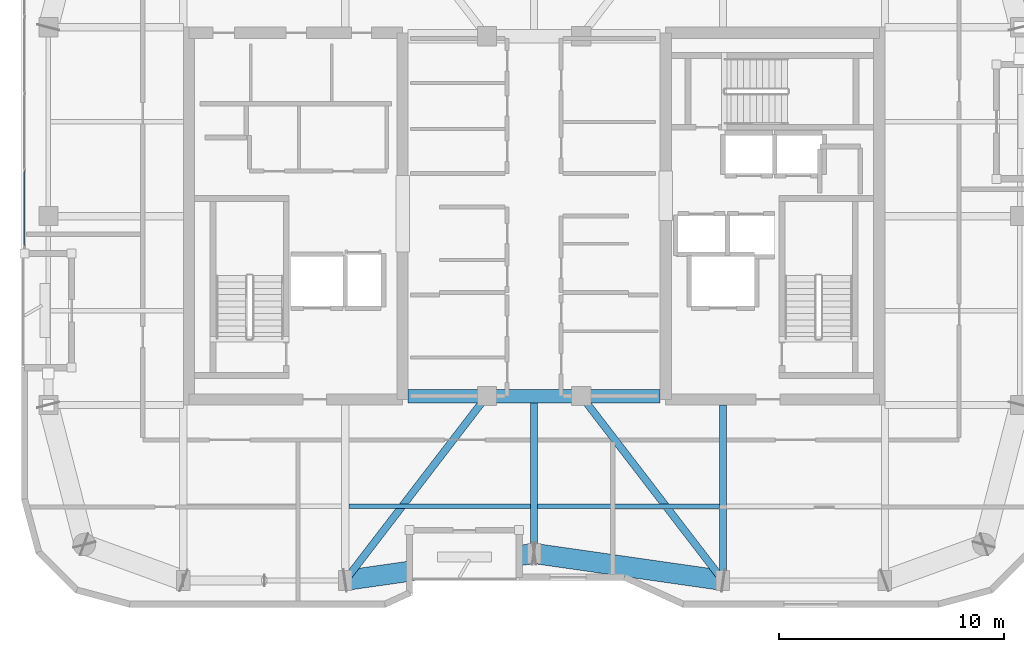
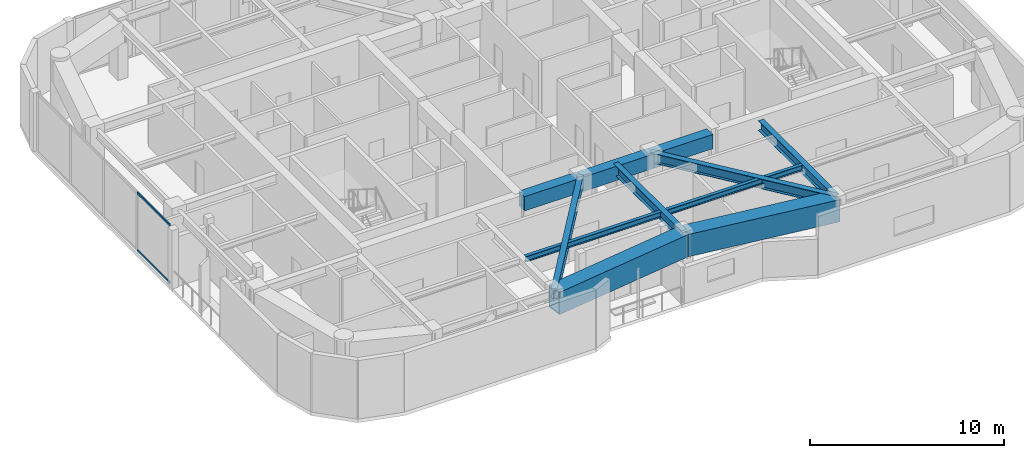
# One storey, part 3 of 16: 11 beams, 2 members, 1 element without a shape of its own.
"""IFC4 building model written with IfcOpenShell, lengths in metres."""

from ifc_helpers import new_model, si_unit, direction, frame, origin, origin_2d, place, context, subcontext, project, spatial, rectangle, hollow_rectangle, i_section, extrude, material, layer, layer_set, material_profile, profile_set, type_object, element, aggregate, save


model = new_model("IFC4")

# Units and contexts
model_context = context("Model", 3, precision=1e-05, world=origin(), true_north=direction((0.0, 1.0)))
body_context = subcontext(model_context, "Body", "Model", "MODEL_VIEW")
ifc_project = project(units=[si_unit("LENGTHUNIT", "METRE"), si_unit("AREAUNIT", "SQUARE_METRE"), si_unit("VOLUMEUNIT", "CUBIC_METRE"), si_unit("PLANEANGLEUNIT", "RADIAN"), si_unit("MASSUNIT", "GRAM", prefix="KILO")], contexts=[model_context])

# Site, building, storey
site_placement = place(None, origin())
site = spatial("IfcSite", under=ifc_project, at=site_placement, CompositionType="ELEMENT")
building_placement = place(site_placement, origin())
building = spatial("IfcBuilding", under=site, at=building_placement, Name="Kiyonajd Concourse Tower", CompositionType="ELEMENT")
storey_placement = place(building_placement, frame((0.0, 0.0, 329.699951171875)))
storey = spatial("IfcBuildingStorey", under=building, at=storey_placement, Name="L83", CompositionType="ELEMENT", Elevation=329.699951171875)

# Beams
ifc_material_1 = material(Name="Concrete C60/75", Category="concrete")
ifc_material_profile_1 = material_profile(ifc_material_1, rectangle(XDim=0.60009765625, YDim=0.89990234375, at=origin_2d()), Name="RCBM-600x900")
ifc_profile_set_1 = profile_set([ifc_material_profile_1], Name="Concrete C60/75")
beam_type_1 = type_object("IfcBeamType", Name="BM-COUP-900", PredefinedType="LINTEL", material=ifc_profile_set_1)
beam_1_placement = place(storey_placement, frame((42.39990234375, 28.0, 3.22998046875), z_axis=(1.0, 0.0, 0.0), x_axis=(0.0, 1.0, 0.0)))
element("IfcBeam", 1, at=beam_1_placement, inside=storey, type_object=beam_type_1, Name="L83 Core Coupling Beam S1", PredefinedType="LINTEL", context=body_context, shape_type="SweptSolid", body=[
    extrude(rectangle(XDim=0.60009765625, YDim=0.89990234375, at=origin_2d()), origin(), (0.0, 0.0, 1.0), 3.5),
])
beam_2_placement = place(storey_placement, frame((45.89990234375, 28.0, 3.22998046875), z_axis=(1.0, 0.0, 0.0), x_axis=(0.0, 1.0, 0.0)))
element("IfcBeam", 2, at=beam_2_placement, inside=storey, type_object=beam_type_1, Name="L83 Core Coupling Beam S2", PredefinedType="LINTEL", context=body_context, shape_type="SweptSolid", body=[
    extrude(rectangle(XDim=0.60009765625, YDim=0.89990234375, at=origin_2d()), origin(), (0.0, 0.0, 1.0), 4.2001953125),
])
beam_3_placement = place(storey_placement, frame((50.10009765625, 28.0, 3.22998046875), z_axis=(1.0, 0.0, 0.0), x_axis=(0.0, 1.0, 0.0)))
element("IfcBeam", 3, at=beam_3_placement, inside=storey, type_object=beam_type_1, Name="L83 Core Coupling Beam S3", PredefinedType="LINTEL", context=body_context, shape_type="SweptSolid", body=[
    extrude(rectangle(XDim=0.60009765625, YDim=0.89990234375, at=origin_2d()), origin(), (0.0, 0.0, 1.0), 3.5),
])
ifc_material_2 = material(Name="Steel ASTM A992 Grade 50", Category="steel")
ifc_material_profile_2 = material_profile(ifc_material_2, i_section(OverallWidth=0.205078125, OverallDepth=0.35400390625, WebThickness=0.009521484375, FlangeThickness=0.016845703125, at=origin_2d()), Name="W360X79")
ifc_profile_set_2 = profile_set([ifc_material_profile_2], Name="Steel ASTM A992 Grade 50")
beam_type_2 = type_object("IfcBeamType", Name="BM-JST-360", PredefinedType="JOIST", material=ifc_profile_set_2)
for number, where, z_axis, x_axis, name in (
    (4, (39.761962890625, 23.10009765625, 3.5029296875), (1.0, 0.0, 0.0), (0.0, 1.0, 0.0), "L83 Secondary Floor Joist"),
    (5, (48.162109375, 23.10009765625, 3.5029296875), (1.0, 0.0, 0.0), (0.0, 1.0, 0.0), "L83 Secondary Floor Joist"),
):
    element("IfcBeam", number, at=place(storey_placement, frame(where, z_axis=z_axis, x_axis=x_axis)), inside=storey, type_object=beam_type_2, Name=name, PredefinedType="JOIST", context=body_context, shape_type="SweptSolid", body=[
        extrude(i_section(OverallWidth=0.205078125, OverallDepth=0.35400390625, WebThickness=0.009521484375, FlangeThickness=0.016845703125, at=origin_2d()), origin(), (0.0, 0.0, 1.0), 8.075927734375),
    ])
ifc_material_profile_3 = material_profile(ifc_material_2, i_section(OverallWidth=0.326904296875, OverallDepth=0.6220703125, WebThickness=0.015380859375, FlangeThickness=0.0244140625, at=origin_2d()), Name="W610X195")
ifc_profile_set_3 = profile_set([ifc_material_profile_3], Name="Steel ASTM A992 Grade 50")
beam_type_3 = type_object("IfcBeamType", Name="BM-TWR-610A", PredefinedType="BEAM", material=ifc_profile_set_3)
for number, where, z_axis, x_axis, name in (
    (6, (39.60009765625, 19.800048828125, 3.369140625), (0.609233709922, 0.792990722956, 0.0), (-0.792990722956, 0.609233709922, 0.0), "L83 Core Tie Girder"),
    (7, (50.10009765625, 28.0, 3.369140625), (0.609233709922, -0.792990722956, 0.0), (0.792990722956, 0.609233709922, 0.0), "L83 Core Tie Girder"),
):
    element("IfcBeam", number, at=place(storey_placement, frame(where, z_axis=z_axis, x_axis=x_axis)), inside=storey, type_object=beam_type_3, Name=name, PredefinedType="BEAM", context=body_context, shape_type="SweptSolid", body=[
        extrude(i_section(OverallWidth=0.326904296875, OverallDepth=0.6220703125, WebThickness=0.015380859375, FlangeThickness=0.0244140625, at=origin_2d()), origin(), (0.0, 0.0, 1.0), 10.340576171875),
    ])
ifc_material_profile_4 = material_profile(ifc_material_2, i_section(OverallWidth=0.323974609375, OverallDepth=0.611083984375, WebThickness=0.0126953125, FlangeThickness=0.01904296875, at=origin_2d()), Name="W610X155")
ifc_profile_set_4 = profile_set([ifc_material_profile_4], Name="Steel ASTM A992 Grade 50")
beam_type_4 = type_object("IfcBeamType", Name="BM-TWR-610B", PredefinedType="BEAM", material=ifc_profile_set_4)
beam_4_placement = place(storey_placement, frame((56.39990234375, 19.800048828125, 3.37451171875), z_axis=(0.0, 1.0, 0.0), x_axis=(-1.0, 0.0, 0.0)))
element("IfcBeam", 8, at=beam_4_placement, inside=storey, type_object=beam_type_4, Name="L83 South Lease Girder", PredefinedType="BEAM", context=body_context, shape_type="SweptSolid", body=[
    extrude(i_section(OverallWidth=0.323974609375, OverallDepth=0.611083984375, WebThickness=0.0126953125, FlangeThickness=0.01904296875, at=origin_2d()), origin(), (0.0, 0.0, 1.0), 7.800048828125),
])
beam_5_placement = place(storey_placement, frame((48.0, 21.0, 3.37451171875), z_axis=(0.0, 1.0, 0.0), x_axis=(-1.0, 0.0, 0.0)))
element("IfcBeam", 9, at=beam_5_placement, inside=storey, type_object=beam_type_4, Name="L83 South Ribbon Girder", PredefinedType="BEAM", context=body_context, shape_type="SweptSolid", body=[
    extrude(i_section(OverallWidth=0.323974609375, OverallDepth=0.611083984375, WebThickness=0.0126953125, FlangeThickness=0.01904296875, at=origin_2d()), origin(), (0.0, 0.0, 1.0), 7.0),
])
ifc_material_3 = material(Name="Steel ASTM A572 Grade 50", Category="steel")
ifc_material_profile_5 = material_profile(ifc_material_3, hollow_rectangle(XDim=0.89990234375, YDim=1.39990234375, WallThickness=0.070068359375, at=origin_2d()), Name="BOX-1400x900x70")
ifc_profile_set_5 = profile_set([ifc_material_profile_5], Name="Steel ASTM A572 Grade 50")
beam_type_5 = type_object("IfcBeamType", Name="BM-XFER-1400", PredefinedType="BEAM", material=ifc_profile_set_5)
for number, where, z_axis, x_axis, name in (
    (10, (39.60009765625, 19.800048828125, 2.97998046875), (0.989950069105, 0.141417328072, 0.0), (-0.141417328072, 0.989950069105, 0.0), "L83 Perimeter Bundled Tube Spandrel"),
    (11, (48.0, 21.0, 2.97998046875), (0.989950069105, -0.141417328072, 0.0), (0.141417328072, 0.989950069105, 0.0), "L83 Perimeter Bundled Tube Spandrel"),
):
    element("IfcBeam", number, at=place(storey_placement, frame(where, z_axis=z_axis, x_axis=x_axis)), inside=storey, type_object=beam_type_5, Name=name, PredefinedType="BEAM", context=body_context, shape_type="SweptSolid", body=[
        extrude(hollow_rectangle(XDim=0.89990234375, YDim=1.39990234375, WallThickness=0.070068359375, at=origin_2d()), origin(), (0.0, 0.0, 1.0), 8.485107421875),
    ])

# Curtain wall, members
ifc_material_4 = material(Name="Thermally Broken Anodised Aluminium", Category="aluminium")
ifc_layer = layer(ifc_material_4, 0.179931640625)
ifc_layer_set = layer_set([ifc_layer], Name="Thermally Broken Anodised Aluminium")
curtain_wall_type = type_object("IfcCurtainWallType", Name="CW-SYS-04", PredefinedType="NOTDEFINED", material=ifc_layer_set)
curtain_wall_placement = place(storey_placement, origin())
curtain_wall = element("IfcCurtainWall", 12, at=curtain_wall_placement, inside=storey, type_object=curtain_wall_type, Name="L83 Unitised Curtain Wall CW4", PredefinedType="NOTDEFINED")
ifc_material_profile_6 = material_profile(ifc_material_4, hollow_rectangle(XDim=0.06494140625, YDim=0.139892578125, WallThickness=0.00390625, at=origin_2d()), Name="TRAN-65x140")
ifc_profile_set_6 = profile_set([ifc_material_profile_6], Name="Thermally Broken Anodised Aluminium")
member_type = type_object("IfcMemberType", Name="MB-CW-TRAN1", PredefinedType="USERDEFINED", material=ifc_profile_set_6)
member_1_placement = place(storey_placement, frame((25.340087890625, 34.695068359375, 0.032470703125), z_axis=(0.0, 1.0, 0.0), x_axis=(-1.0, 0.0, 0.0)))
member_1 = element("IfcMember", 13, at=member_1_placement, type_object=member_type, Name="CW4 transom 1.1", ObjectType="TRANSOM", PredefinedType="USERDEFINED", context=body_context, shape_type="SweptSolid", body=[
    extrude(hollow_rectangle(XDim=0.06494140625, YDim=0.139892578125, WallThickness=0.00390625, at=origin_2d()), origin(), (0.0, 0.0, 1.0), 3.31787109375),
])
member_2_placement = place(storey_placement, frame((25.340087890625, 34.695068359375, 3.6474609375), z_axis=(0.0, 1.0, 0.0), x_axis=(-1.0, 0.0, 0.0)))
member_2 = element("IfcMember", 14, at=member_2_placement, type_object=member_type, Name="CW4 transom 1.2", ObjectType="TRANSOM", PredefinedType="USERDEFINED", context=body_context, shape_type="SweptSolid", body=[
    extrude(hollow_rectangle(XDim=0.06494140625, YDim=0.139892578125, WallThickness=0.00390625, at=origin_2d()), origin(), (0.0, 0.0, 1.0), 3.31787109375),
])
aggregate(curtain_wall, [member_1, member_2])

save(model, "model.ifc")
